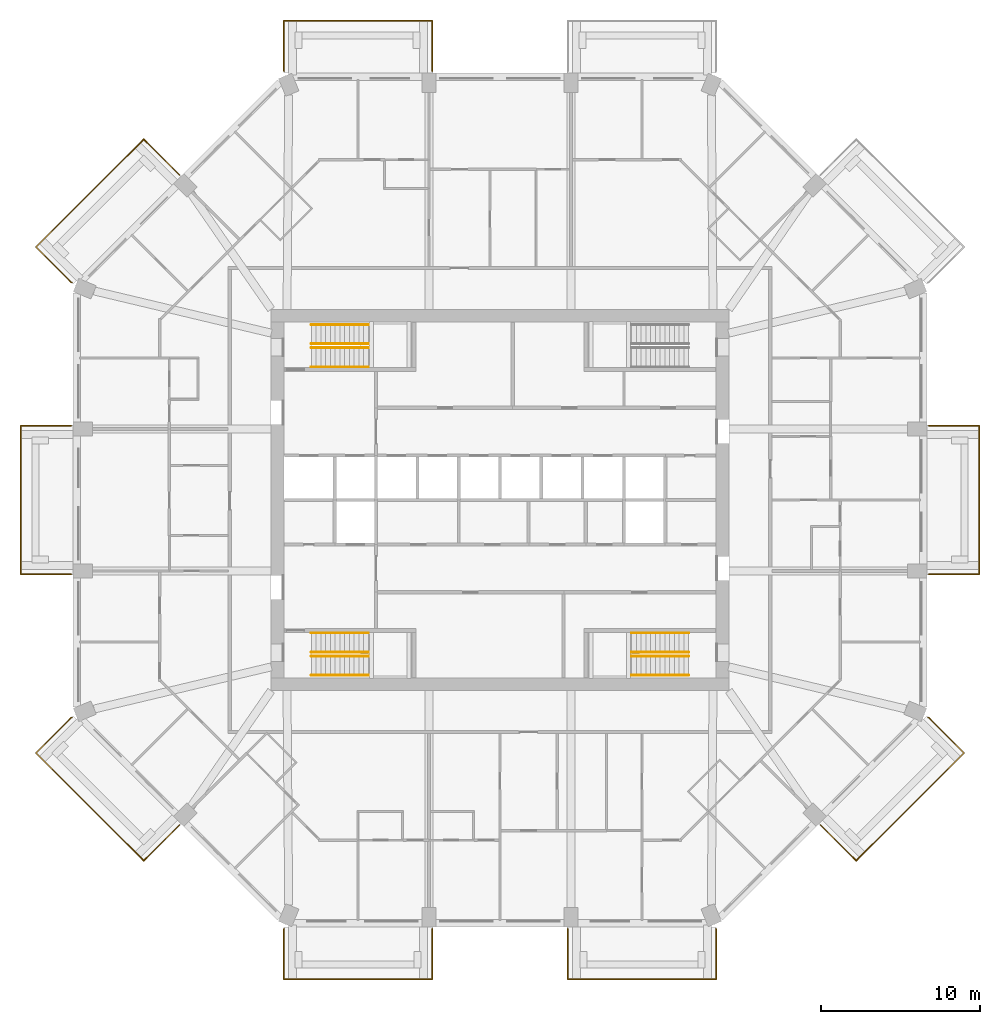
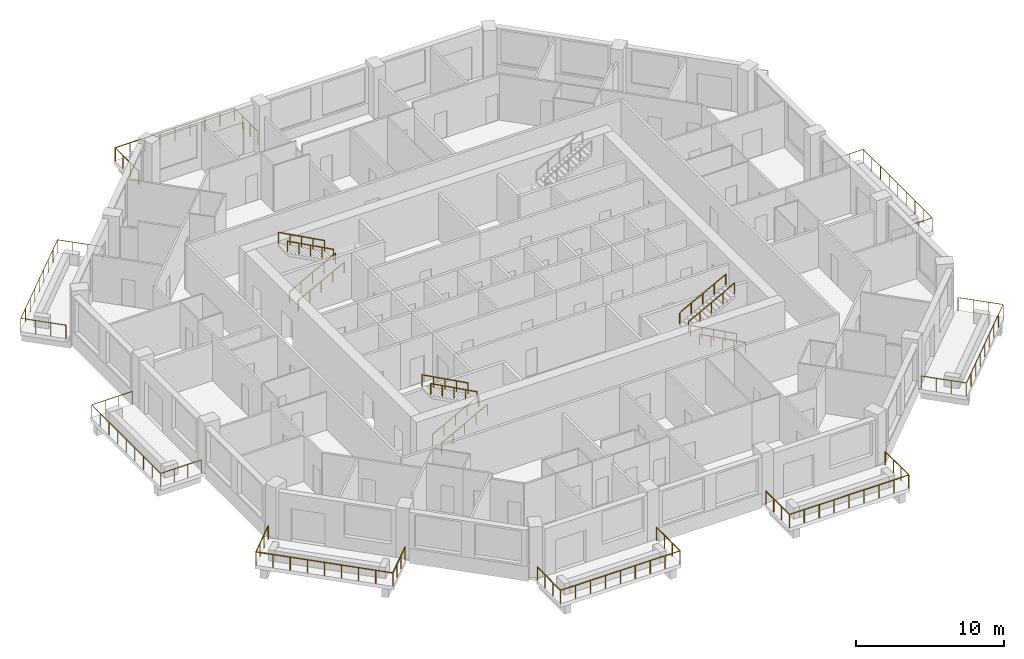
# One storey, part 12 of 13: 20 railings.
"""IFC4 building model written with IfcOpenShell, lengths in metres."""

from ifc_helpers import new_model, si_unit, direction, frame, origin, origin_2d, place, context, subcontext, project, spatial, circle, extrude, material, constituent, constituent_set, type_object, element, save


model = new_model("IFC4")

# Units and contexts
model_context = context("Model", 3, precision=1e-05, world=origin(), true_north=direction((0.0, 1.0)))
body_context = subcontext(model_context, "Body", "Model", "MODEL_VIEW")
ifc_project = project(units=[si_unit("LENGTHUNIT", "METRE"), si_unit("AREAUNIT", "SQUARE_METRE"), si_unit("VOLUMEUNIT", "CUBIC_METRE"), si_unit("PLANEANGLEUNIT", "RADIAN"), si_unit("MASSUNIT", "GRAM", prefix="KILO")], contexts=[model_context])

# Site, building, storey
site_placement = place(None, origin())
site = spatial("IfcSite", under=ifc_project, at=site_placement, CompositionType="ELEMENT")
building_placement = place(site_placement, origin())
building = spatial("IfcBuilding", under=site, at=building_placement, Name="Msitu Wima Residences", CompositionType="ELEMENT")
storey_placement = place(building_placement, frame((0.0, 0.0, 144.300048828125)))
storey = spatial("IfcBuildingStorey", under=building, at=storey_placement, Name="L33", CompositionType="ELEMENT", Elevation=144.300048828125)

# Railings
ifc_material_1 = material(Name="Steel S355", Category="steel")
ifc_constituent_1 = constituent(ifc_material_1, Name="Steel S355")
ifc_material_2 = material(Name="Weathering patina")
ifc_constituent_2 = constituent(ifc_material_2, Name="Weathering patina")
ifc_constituent_set_1 = constituent_set(constituents=[ifc_constituent_1, ifc_constituent_2], Name="Steel S355")
railing_type_1 = type_object("IfcRailingType", Name="Balcony guard GR1100", PredefinedType="GUARDRAIL", material=ifc_constituent_set_1)
railing_1_placement = place(storey_placement, frame((26.97998046875, 4.668701171875, 0.0)))
element("IfcRailing", 1, at=railing_1_placement, inside=storey, type_object=railing_type_1, Name="Balcony guard E1 L33", PredefinedType="GUARDRAIL", context=body_context, shape_type="SweptSolid", body=[
    extrude(circle(Radius=0.02392578125, at=origin_2d()), frame((0.0, 0.0, 1.076171875), z_axis=(1.0, 0.0, 0.0), x_axis=(0.0, 1.0, 0.0)), (0.0, 0.0, 1.0), 3.169921875),
    extrude(circle(Radius=0.02392578125, at=origin_2d()), frame((3.169921875, 0.0, 1.076171875), z_axis=(0.0, -1.0, 0.0), x_axis=(1.0, 0.0, 0.0)), (0.0, 0.0, 1.0), 9.33740234375),
    extrude(circle(Radius=0.02392578125, at=origin_2d()), frame((3.169921875, -9.33740234375, 1.076171875), z_axis=(-1.0, 0.0, 0.0), x_axis=(0.0, -1.0, 0.0)), (0.0, 0.0, 1.0), 3.169921875),
    extrude(circle(Radius=0.02099609375, at=origin_2d()), origin(), (0.0, 0.0, 1.0), 1.052001953125),
    extrude(circle(Radius=0.02099609375, at=origin_2d()), frame((1.056640625, 0.0, 0.0)), (0.0, 0.0, 1.0), 1.052001953125),
    extrude(circle(Radius=0.02099609375, at=origin_2d()), frame((2.11328125, 0.0, 0.0)), (0.0, 0.0, 1.0), 1.052001953125),
    extrude(circle(Radius=0.02099609375, at=origin_2d()), frame((3.169921875, 0.0, 0.0)), (0.0, 0.0, 1.0), 1.052001953125),
    extrude(circle(Radius=0.02099609375, at=origin_2d()), frame((3.169921875, -1.167236328125, 0.0)), (0.0, 0.0, 1.0), 1.052001953125),
    extrude(circle(Radius=0.02099609375, at=origin_2d()), frame((3.169921875, -2.33447265625, 0.0)), (0.0, 0.0, 1.0), 1.052001953125),
    extrude(circle(Radius=0.02099609375, at=origin_2d()), frame((3.169921875, -3.50146484375, 0.0)), (0.0, 0.0, 1.0), 1.052001953125),
    extrude(circle(Radius=0.02099609375, at=origin_2d()), frame((3.169921875, -4.668701171875, 0.0)), (0.0, 0.0, 1.0), 1.052001953125),
    extrude(circle(Radius=0.02099609375, at=origin_2d()), frame((3.169921875, -5.8359375, 0.0)), (0.0, 0.0, 1.0), 1.052001953125),
    extrude(circle(Radius=0.02099609375, at=origin_2d()), frame((3.169921875, -7.0029296875, 0.0)), (0.0, 0.0, 1.0), 1.052001953125),
    extrude(circle(Radius=0.02099609375, at=origin_2d()), frame((3.169921875, -8.170166015625, 0.0)), (0.0, 0.0, 1.0), 1.052001953125),
    extrude(circle(Radius=0.02099609375, at=origin_2d()), frame((3.169921875, -9.33740234375, 0.0)), (0.0, 0.0, 1.0), 1.052001953125),
    extrude(circle(Radius=0.02099609375, at=origin_2d()), frame((2.11328125, -9.33740234375, 0.0)), (0.0, 0.0, 1.0), 1.052001953125),
    extrude(circle(Radius=0.02099609375, at=origin_2d()), frame((1.056640625, -9.33740234375, 0.0)), (0.0, 0.0, 1.0), 1.052001953125),
    extrude(circle(Radius=0.02099609375, at=origin_2d()), frame((0.0, -9.33740234375, 0.0)), (0.0, 0.0, 1.0), 1.052001953125),
])
railing_2_placement = place(storey_placement, frame((-13.592041015625, 26.97998046875, 0.0)))
element("IfcRailing", 2, at=railing_2_placement, inside=storey, type_object=railing_type_1, Name="Balcony guard N2 L33", PredefinedType="GUARDRAIL", context=body_context, shape_type="SweptSolid", body=[
    extrude(circle(Radius=0.02392578125, at=origin_2d()), frame((0.0, 0.0, 1.076171875), z_axis=(-0.384136806859, 0.923276184907, 0.0), x_axis=(-0.923276184907, -0.384136806859, 0.0)), (0.0, 0.0, 1.0), 0.0361328125),
    extrude(circle(Radius=0.02392578125, at=origin_2d()), frame((-0.013916015625, 0.033447265625, 1.076171875), z_axis=(0.0, 1.0, 0.0), x_axis=(-1.0, 0.0, 0.0)), (0.0, 0.0, 1.0), 3.136474609375),
    extrude(circle(Radius=0.02392578125, at=origin_2d()), frame((-0.013916015625, 3.169921875, 1.076171875), z_axis=(1.0, 0.0, 0.0), x_axis=(0.0, 1.0, 0.0)), (0.0, 0.0, 1.0), 9.33740234375),
    extrude(circle(Radius=0.02392578125, at=origin_2d()), frame((9.323486328125, 3.169921875, 1.076171875), z_axis=(0.0, -1.0, 0.0), x_axis=(1.0, 0.0, 0.0)), (0.0, 0.0, 1.0), 3.169921875),
    extrude(circle(Radius=0.02099609375, at=origin_2d()), origin(), (0.0, 0.0, 1.0), 1.052001953125),
    extrude(circle(Radius=0.02099609375, at=origin_2d()), frame((-0.013916015625, 0.033447265625, 0.0)), (0.0, 0.0, 1.0), 1.052001953125),
    extrude(circle(Radius=0.02099609375, at=origin_2d()), frame((-0.013916015625, 1.078857421875, 0.0)), (0.0, 0.0, 1.0), 1.052001953125),
    extrude(circle(Radius=0.02099609375, at=origin_2d()), frame((-0.013916015625, 2.12451171875, 0.0)), (0.0, 0.0, 1.0), 1.052001953125),
    extrude(circle(Radius=0.02099609375, at=origin_2d()), frame((-0.013916015625, 3.169921875, 0.0)), (0.0, 0.0, 1.0), 1.052001953125),
    extrude(circle(Radius=0.02099609375, at=origin_2d()), frame((1.1533203125, 3.169921875, 0.0)), (0.0, 0.0, 1.0), 1.052001953125),
    extrude(circle(Radius=0.02099609375, at=origin_2d()), frame((2.3203125, 3.169921875, 0.0)), (0.0, 0.0, 1.0), 1.052001953125),
    extrude(circle(Radius=0.02099609375, at=origin_2d()), frame((3.487548828125, 3.169921875, 0.0)), (0.0, 0.0, 1.0), 1.052001953125),
    extrude(circle(Radius=0.02099609375, at=origin_2d()), frame((4.65478515625, 3.169921875, 0.0)), (0.0, 0.0, 1.0), 1.052001953125),
    extrude(circle(Radius=0.02099609375, at=origin_2d()), frame((5.822021484375, 3.169921875, 0.0)), (0.0, 0.0, 1.0), 1.052001953125),
    extrude(circle(Radius=0.02099609375, at=origin_2d()), frame((6.9892578125, 3.169921875, 0.0)), (0.0, 0.0, 1.0), 1.052001953125),
    extrude(circle(Radius=0.02099609375, at=origin_2d()), frame((8.15625, 3.169921875, 0.0)), (0.0, 0.0, 1.0), 1.052001953125),
    extrude(circle(Radius=0.02099609375, at=origin_2d()), frame((9.323486328125, 3.169921875, 0.0)), (0.0, 0.0, 1.0), 1.052001953125),
    extrude(circle(Radius=0.02099609375, at=origin_2d()), frame((9.323486328125, 2.11328125, 0.0)), (0.0, 0.0, 1.0), 1.052001953125),
    extrude(circle(Radius=0.02099609375, at=origin_2d()), frame((9.323486328125, 1.056640625, 0.0)), (0.0, 0.0, 1.0), 1.052001953125),
    extrude(circle(Radius=0.02099609375, at=origin_2d()), frame((9.323486328125, 0.0, 0.0)), (0.0, 0.0, 1.0), 1.052001953125),
])
railing_3_placement = place(storey_placement, frame((-26.941650390625, 13.684326171875, 0.0)))
element("IfcRailing", 3, at=railing_3_placement, inside=storey, type_object=railing_type_1, Name="Balcony guard NW1 L33", PredefinedType="GUARDRAIL", context=body_context, shape_type="SweptSolid", body=[
    extrude(circle(Radius=0.02392578125, at=origin_2d()), frame((0.0, 0.0, 1.076171875), z_axis=(-0.92426142649, 0.38176015442, 0.0), x_axis=(-0.38176015442, -0.92426142649, 0.0)), (0.0, 0.0, 1.0), 0.036376953125),
    extrude(circle(Radius=0.02392578125, at=origin_2d()), frame((-0.03369140625, 0.013916015625, 1.076171875), z_axis=(-0.707106781187, 0.707106781187, 0.0), x_axis=(-0.707106781187, -0.707106781187, 0.0)), (0.0, 0.0, 1.0), 3.136474609375),
    extrude(circle(Radius=0.02392578125, at=origin_2d()), frame((-2.25146484375, 2.231689453125, 1.076171875), z_axis=(0.707106781187, 0.707106781187, 0.0), x_axis=(-0.707106781187, 0.707106781187, 0.0)), (0.0, 0.0, 1.0), 9.58837890625),
    extrude(circle(Radius=0.02392578125, at=origin_2d()), frame((4.528564453125, 9.01171875, 1.076171875), z_axis=(0.707106781187, -0.707106781187, 0.0), x_axis=(0.707106781187, 0.707106781187, 0.0)), (0.0, 0.0, 1.0), 3.169921875),
    extrude(circle(Radius=0.02099609375, at=origin_2d()), origin(), (0.0, 0.0, 1.0), 1.052001953125),
    extrude(circle(Radius=0.02099609375, at=origin_2d()), frame((-0.03369140625, 0.013916015625, 0.0)), (0.0, 0.0, 1.0), 1.052001953125),
    extrude(circle(Radius=0.02099609375, at=origin_2d()), frame((-0.77294921875, 0.753173828125, 0.0)), (0.0, 0.0, 1.0), 1.052001953125),
    extrude(circle(Radius=0.02099609375, at=origin_2d()), frame((-1.51220703125, 1.492431640625, 0.0)), (0.0, 0.0, 1.0), 1.052001953125),
    extrude(circle(Radius=0.02099609375, at=origin_2d()), frame((-2.25146484375, 2.231689453125, 0.0)), (0.0, 0.0, 1.0), 1.052001953125),
    extrude(circle(Radius=0.02099609375, at=origin_2d()), frame((-1.404052734375, 3.0791015625, 0.0)), (0.0, 0.0, 1.0), 1.052001953125),
    extrude(circle(Radius=0.02099609375, at=origin_2d()), frame((-0.556396484375, 3.9267578125, 0.0)), (0.0, 0.0, 1.0), 1.052001953125),
    extrude(circle(Radius=0.02099609375, at=origin_2d()), frame((0.291015625, 4.774169921875, 0.0)), (0.0, 0.0, 1.0), 1.052001953125),
    extrude(circle(Radius=0.02099609375, at=origin_2d()), frame((1.138671875, 5.62158203125, 0.0)), (0.0, 0.0, 1.0), 1.052001953125),
    extrude(circle(Radius=0.02099609375, at=origin_2d()), frame((1.986083984375, 6.46923828125, 0.0)), (0.0, 0.0, 1.0), 1.052001953125),
    extrude(circle(Radius=0.02099609375, at=origin_2d()), frame((2.83349609375, 7.316650390625, 0.0)), (0.0, 0.0, 1.0), 1.052001953125),
    extrude(circle(Radius=0.02099609375, at=origin_2d()), frame((3.68115234375, 8.164306640625, 0.0)), (0.0, 0.0, 1.0), 1.052001953125),
    extrude(circle(Radius=0.02099609375, at=origin_2d()), frame((4.528564453125, 9.01171875, 0.0)), (0.0, 0.0, 1.0), 1.052001953125),
    extrude(circle(Radius=0.02099609375, at=origin_2d()), frame((5.275634765625, 8.2646484375, 0.0)), (0.0, 0.0, 1.0), 1.052001953125),
    extrude(circle(Radius=0.02099609375, at=origin_2d()), frame((6.02294921875, 7.517333984375, 0.0)), (0.0, 0.0, 1.0), 1.052001953125),
    extrude(circle(Radius=0.02099609375, at=origin_2d()), frame((6.77001953125, 6.770263671875, 0.0)), (0.0, 0.0, 1.0), 1.052001953125),
])
railing_4_placement = place(storey_placement, frame((-26.97998046875, -4.668701171875, 0.0)))
element("IfcRailing", 4, at=railing_4_placement, inside=storey, type_object=railing_type_1, Name="Balcony guard W1 L33", PredefinedType="GUARDRAIL", context=body_context, shape_type="SweptSolid", body=[
    extrude(circle(Radius=0.02392578125, at=origin_2d()), frame((0.0, 0.0, 1.076171875), z_axis=(-1.0, 0.0, 0.0), x_axis=(0.0, -1.0, 0.0)), (0.0, 0.0, 1.0), 3.169921875),
    extrude(circle(Radius=0.02392578125, at=origin_2d()), frame((-3.169921875, 0.0, 1.076171875), z_axis=(0.0, 1.0, 0.0), x_axis=(-1.0, 0.0, 0.0)), (0.0, 0.0, 1.0), 9.33740234375),
    extrude(circle(Radius=0.02392578125, at=origin_2d()), frame((-3.169921875, 9.33740234375, 1.076171875), z_axis=(1.0, 0.0, 0.0), x_axis=(0.0, 1.0, 0.0)), (0.0, 0.0, 1.0), 3.169921875),
    extrude(circle(Radius=0.02099609375, at=origin_2d()), origin(), (0.0, 0.0, 1.0), 1.052001953125),
    extrude(circle(Radius=0.02099609375, at=origin_2d()), frame((-1.056640625, 0.0, 0.0)), (0.0, 0.0, 1.0), 1.052001953125),
    extrude(circle(Radius=0.02099609375, at=origin_2d()), frame((-2.11328125, 0.0, 0.0)), (0.0, 0.0, 1.0), 1.052001953125),
    extrude(circle(Radius=0.02099609375, at=origin_2d()), frame((-3.169921875, 0.0, 0.0)), (0.0, 0.0, 1.0), 1.052001953125),
    extrude(circle(Radius=0.02099609375, at=origin_2d()), frame((-3.169921875, 1.167236328125, 0.0)), (0.0, 0.0, 1.0), 1.052001953125),
    extrude(circle(Radius=0.02099609375, at=origin_2d()), frame((-3.169921875, 2.33447265625, 0.0)), (0.0, 0.0, 1.0), 1.052001953125),
    extrude(circle(Radius=0.02099609375, at=origin_2d()), frame((-3.169921875, 3.50146484375, 0.0)), (0.0, 0.0, 1.0), 1.052001953125),
    extrude(circle(Radius=0.02099609375, at=origin_2d()), frame((-3.169921875, 4.668701171875, 0.0)), (0.0, 0.0, 1.0), 1.052001953125),
    extrude(circle(Radius=0.02099609375, at=origin_2d()), frame((-3.169921875, 5.8359375, 0.0)), (0.0, 0.0, 1.0), 1.052001953125),
    extrude(circle(Radius=0.02099609375, at=origin_2d()), frame((-3.169921875, 7.0029296875, 0.0)), (0.0, 0.0, 1.0), 1.052001953125),
    extrude(circle(Radius=0.02099609375, at=origin_2d()), frame((-3.169921875, 8.170166015625, 0.0)), (0.0, 0.0, 1.0), 1.052001953125),
    extrude(circle(Radius=0.02099609375, at=origin_2d()), frame((-3.169921875, 9.33740234375, 0.0)), (0.0, 0.0, 1.0), 1.052001953125),
    extrude(circle(Radius=0.02099609375, at=origin_2d()), frame((-2.11328125, 9.33740234375, 0.0)), (0.0, 0.0, 1.0), 1.052001953125),
    extrude(circle(Radius=0.02099609375, at=origin_2d()), frame((-1.056640625, 9.33740234375, 0.0)), (0.0, 0.0, 1.0), 1.052001953125),
    extrude(circle(Radius=0.02099609375, at=origin_2d()), frame((0.0, 9.33740234375, 0.0)), (0.0, 0.0, 1.0), 1.052001953125),
])
railing_5_placement = place(storey_placement, frame((-20.171630859375, -20.45458984375, 0.0)))
element("IfcRailing", 5, at=railing_5_placement, inside=storey, type_object=railing_type_1, Name="Balcony guard SW0 L33", PredefinedType="GUARDRAIL", context=body_context, shape_type="SweptSolid", body=[
    extrude(circle(Radius=0.02392578125, at=origin_2d()), frame((0.0, 0.0, 1.076171875), z_axis=(-0.707106781187, -0.707106781187, 0.0), x_axis=(0.707106781187, -0.707106781187, 0.0)), (0.0, 0.0, 1.0), 3.169921875),
    extrude(circle(Radius=0.02392578125, at=origin_2d()), frame((-2.241455078125, -2.241455078125, 1.076171875), z_axis=(-0.707106781187, 0.707106781187, 0.0), x_axis=(-0.707106781187, -0.707106781187, 0.0)), (0.0, 0.0, 1.0), 9.58837890625),
    extrude(circle(Radius=0.02392578125, at=origin_2d()), frame((-9.021484375, 4.53857421875, 1.076171875), z_axis=(0.707106781187, 0.707106781187, 0.0), x_axis=(-0.707106781187, 0.707106781187, 0.0)), (0.0, 0.0, 1.0), 3.136474609375),
    extrude(circle(Radius=0.02392578125, at=origin_2d()), frame((-6.8037109375, 6.75634765625, 1.076171875), z_axis=(0.92426142649, 0.38176015442, 0.0), x_axis=(-0.38176015442, 0.92426142649, 0.0)), (0.0, 0.0, 1.0), 0.036376953125),
    extrude(circle(Radius=0.02099609375, at=origin_2d()), origin(), (0.0, 0.0, 1.0), 1.052001953125),
    extrude(circle(Radius=0.02099609375, at=origin_2d()), frame((-0.7470703125, -0.7470703125, 0.0)), (0.0, 0.0, 1.0), 1.052001953125),
    extrude(circle(Radius=0.02099609375, at=origin_2d()), frame((-1.494384765625, -1.494384765625, 0.0)), (0.0, 0.0, 1.0), 1.052001953125),
    extrude(circle(Radius=0.02099609375, at=origin_2d()), frame((-2.241455078125, -2.241455078125, 0.0)), (0.0, 0.0, 1.0), 1.052001953125),
    extrude(circle(Radius=0.02099609375, at=origin_2d()), frame((-3.0888671875, -1.39404296875, 0.0)), (0.0, 0.0, 1.0), 1.052001953125),
    extrude(circle(Radius=0.02099609375, at=origin_2d()), frame((-3.9365234375, -0.54638671875, 0.0)), (0.0, 0.0, 1.0), 1.052001953125),
    extrude(circle(Radius=0.02099609375, at=origin_2d()), frame((-4.783935546875, 0.301025390625, 0.0)), (0.0, 0.0, 1.0), 1.052001953125),
    extrude(circle(Radius=0.02099609375, at=origin_2d()), frame((-5.63134765625, 1.1484375, 0.0)), (0.0, 0.0, 1.0), 1.052001953125),
    extrude(circle(Radius=0.02099609375, at=origin_2d()), frame((-6.47900390625, 1.99609375, 0.0)), (0.0, 0.0, 1.0), 1.052001953125),
    extrude(circle(Radius=0.02099609375, at=origin_2d()), frame((-7.326416015625, 2.843505859375, 0.0)), (0.0, 0.0, 1.0), 1.052001953125),
    extrude(circle(Radius=0.02099609375, at=origin_2d()), frame((-8.174072265625, 3.691162109375, 0.0)), (0.0, 0.0, 1.0), 1.052001953125),
    extrude(circle(Radius=0.02099609375, at=origin_2d()), frame((-9.021484375, 4.53857421875, 0.0)), (0.0, 0.0, 1.0), 1.052001953125),
    extrude(circle(Radius=0.02099609375, at=origin_2d()), frame((-8.2822265625, 5.27783203125, 0.0)), (0.0, 0.0, 1.0), 1.052001953125),
    extrude(circle(Radius=0.02099609375, at=origin_2d()), frame((-7.54296875, 6.01708984375, 0.0)), (0.0, 0.0, 1.0), 1.052001953125),
    extrude(circle(Radius=0.02099609375, at=origin_2d()), frame((-6.8037109375, 6.75634765625, 0.0)), (0.0, 0.0, 1.0), 1.052001953125),
    extrude(circle(Radius=0.02099609375, at=origin_2d()), frame((-6.77001953125, 6.770263671875, 0.0)), (0.0, 0.0, 1.0), 1.052001953125),
])
railing_6_placement = place(storey_placement, frame((-4.2685546875, -26.97998046875, 0.0)))
element("IfcRailing", 6, at=railing_6_placement, inside=storey, type_object=railing_type_1, Name="Balcony guard S0 L33", PredefinedType="GUARDRAIL", context=body_context, shape_type="SweptSolid", body=[
    extrude(circle(Radius=0.02392578125, at=origin_2d()), frame((0.0, 0.0, 1.076171875), z_axis=(0.0, -1.0, 0.0), x_axis=(1.0, 0.0, 0.0)), (0.0, 0.0, 1.0), 3.169921875),
    extrude(circle(Radius=0.02392578125, at=origin_2d()), frame((0.0, -3.169921875, 1.076171875), z_axis=(-1.0, 0.0, 0.0), x_axis=(0.0, -1.0, 0.0)), (0.0, 0.0, 1.0), 9.33740234375),
    extrude(circle(Radius=0.02392578125, at=origin_2d()), frame((-9.33740234375, -3.169921875, 1.076171875), z_axis=(0.0, 1.0, 0.0), x_axis=(-1.0, 0.0, 0.0)), (0.0, 0.0, 1.0), 3.136474609375),
    extrude(circle(Radius=0.02392578125, at=origin_2d()), frame((-9.33740234375, -0.033447265625, 1.076171875), z_axis=(0.384136806859, 0.923276184907, 0.0), x_axis=(-0.923276184907, 0.384136806859, 0.0)), (0.0, 0.0, 1.0), 0.0361328125),
    extrude(circle(Radius=0.02099609375, at=origin_2d()), origin(), (0.0, 0.0, 1.0), 1.052001953125),
    extrude(circle(Radius=0.02099609375, at=origin_2d()), frame((0.0, -1.056640625, 0.0)), (0.0, 0.0, 1.0), 1.052001953125),
    extrude(circle(Radius=0.02099609375, at=origin_2d()), frame((0.0, -2.11328125, 0.0)), (0.0, 0.0, 1.0), 1.052001953125),
    extrude(circle(Radius=0.02099609375, at=origin_2d()), frame((0.0, -3.169921875, 0.0)), (0.0, 0.0, 1.0), 1.052001953125),
    extrude(circle(Radius=0.02099609375, at=origin_2d()), frame((-1.167236328125, -3.169921875, 0.0)), (0.0, 0.0, 1.0), 1.052001953125),
    extrude(circle(Radius=0.02099609375, at=origin_2d()), frame((-2.33447265625, -3.169921875, 0.0)), (0.0, 0.0, 1.0), 1.052001953125),
    extrude(circle(Radius=0.02099609375, at=origin_2d()), frame((-3.50146484375, -3.169921875, 0.0)), (0.0, 0.0, 1.0), 1.052001953125),
    extrude(circle(Radius=0.02099609375, at=origin_2d()), frame((-4.668701171875, -3.169921875, 0.0)), (0.0, 0.0, 1.0), 1.052001953125),
    extrude(circle(Radius=0.02099609375, at=origin_2d()), frame((-5.8359375, -3.169921875, 0.0)), (0.0, 0.0, 1.0), 1.052001953125),
    extrude(circle(Radius=0.02099609375, at=origin_2d()), frame((-7.0029296875, -3.169921875, 0.0)), (0.0, 0.0, 1.0), 1.052001953125),
    extrude(circle(Radius=0.02099609375, at=origin_2d()), frame((-8.170166015625, -3.169921875, 0.0)), (0.0, 0.0, 1.0), 1.052001953125),
    extrude(circle(Radius=0.02099609375, at=origin_2d()), frame((-9.33740234375, -3.169921875, 0.0)), (0.0, 0.0, 1.0), 1.052001953125),
    extrude(circle(Radius=0.02099609375, at=origin_2d()), frame((-9.33740234375, -2.12451171875, 0.0)), (0.0, 0.0, 1.0), 1.052001953125),
    extrude(circle(Radius=0.02099609375, at=origin_2d()), frame((-9.33740234375, -1.078857421875, 0.0)), (0.0, 0.0, 1.0), 1.052001953125),
    extrude(circle(Radius=0.02099609375, at=origin_2d()), frame((-9.33740234375, -0.033447265625, 0.0)), (0.0, 0.0, 1.0), 1.052001953125),
    extrude(circle(Radius=0.02099609375, at=origin_2d()), frame((-9.323486328125, 0.0, 0.0)), (0.0, 0.0, 1.0), 1.052001953125),
])
railing_7_placement = place(storey_placement, frame((13.592041015625, -26.97998046875, 0.0)))
element("IfcRailing", 7, at=railing_7_placement, inside=storey, type_object=railing_type_1, Name="Balcony guard S2 L33", PredefinedType="GUARDRAIL", context=body_context, shape_type="SweptSolid", body=[
    extrude(circle(Radius=0.02392578125, at=origin_2d()), frame((0.0, 0.0, 1.076171875), z_axis=(0.384136806859, -0.923276184907, 0.0), x_axis=(0.923276184907, 0.384136806859, 0.0)), (0.0, 0.0, 1.0), 0.0361328125),
    extrude(circle(Radius=0.02392578125, at=origin_2d()), frame((0.013916015625, -0.033447265625, 1.076171875), z_axis=(0.0, -1.0, 0.0), x_axis=(1.0, 0.0, 0.0)), (0.0, 0.0, 1.0), 3.136474609375),
    extrude(circle(Radius=0.02392578125, at=origin_2d()), frame((0.013916015625, -3.169921875, 1.076171875), z_axis=(-1.0, 0.0, 0.0), x_axis=(0.0, -1.0, 0.0)), (0.0, 0.0, 1.0), 9.33740234375),
    extrude(circle(Radius=0.02392578125, at=origin_2d()), frame((-9.323486328125, -3.169921875, 1.076171875), z_axis=(0.0, 1.0, 0.0), x_axis=(-1.0, 0.0, 0.0)), (0.0, 0.0, 1.0), 3.169921875),
    extrude(circle(Radius=0.02099609375, at=origin_2d()), origin(), (0.0, 0.0, 1.0), 1.052001953125),
    extrude(circle(Radius=0.02099609375, at=origin_2d()), frame((0.013916015625, -0.033447265625, 0.0)), (0.0, 0.0, 1.0), 1.052001953125),
    extrude(circle(Radius=0.02099609375, at=origin_2d()), frame((0.013916015625, -1.078857421875, 0.0)), (0.0, 0.0, 1.0), 1.052001953125),
    extrude(circle(Radius=0.02099609375, at=origin_2d()), frame((0.013916015625, -2.12451171875, 0.0)), (0.0, 0.0, 1.0), 1.052001953125),
    extrude(circle(Radius=0.02099609375, at=origin_2d()), frame((0.013916015625, -3.169921875, 0.0)), (0.0, 0.0, 1.0), 1.052001953125),
    extrude(circle(Radius=0.02099609375, at=origin_2d()), frame((-1.1533203125, -3.169921875, 0.0)), (0.0, 0.0, 1.0), 1.052001953125),
    extrude(circle(Radius=0.02099609375, at=origin_2d()), frame((-2.3203125, -3.169921875, 0.0)), (0.0, 0.0, 1.0), 1.052001953125),
    extrude(circle(Radius=0.02099609375, at=origin_2d()), frame((-3.487548828125, -3.169921875, 0.0)), (0.0, 0.0, 1.0), 1.052001953125),
    extrude(circle(Radius=0.02099609375, at=origin_2d()), frame((-4.65478515625, -3.169921875, 0.0)), (0.0, 0.0, 1.0), 1.052001953125),
    extrude(circle(Radius=0.02099609375, at=origin_2d()), frame((-5.822021484375, -3.169921875, 0.0)), (0.0, 0.0, 1.0), 1.052001953125),
    extrude(circle(Radius=0.02099609375, at=origin_2d()), frame((-6.9892578125, -3.169921875, 0.0)), (0.0, 0.0, 1.0), 1.052001953125),
    extrude(circle(Radius=0.02099609375, at=origin_2d()), frame((-8.15625, -3.169921875, 0.0)), (0.0, 0.0, 1.0), 1.052001953125),
    extrude(circle(Radius=0.02099609375, at=origin_2d()), frame((-9.323486328125, -3.169921875, 0.0)), (0.0, 0.0, 1.0), 1.052001953125),
    extrude(circle(Radius=0.02099609375, at=origin_2d()), frame((-9.323486328125, -2.11328125, 0.0)), (0.0, 0.0, 1.0), 1.052001953125),
    extrude(circle(Radius=0.02099609375, at=origin_2d()), frame((-9.323486328125, -1.056640625, 0.0)), (0.0, 0.0, 1.0), 1.052001953125),
    extrude(circle(Radius=0.02099609375, at=origin_2d()), frame((-9.323486328125, 0.0, 0.0)), (0.0, 0.0, 1.0), 1.052001953125),
])
railing_8_placement = place(storey_placement, frame((26.941650390625, -13.684326171875, 0.0)))
element("IfcRailing", 8, at=railing_8_placement, inside=storey, type_object=railing_type_1, Name="Balcony guard SE1 L33", PredefinedType="GUARDRAIL", context=body_context, shape_type="SweptSolid", body=[
    extrude(circle(Radius=0.02392578125, at=origin_2d()), frame((0.0, 0.0, 1.076171875), z_axis=(0.92426142649, -0.38176015442, 0.0), x_axis=(0.38176015442, 0.92426142649, 0.0)), (0.0, 0.0, 1.0), 0.036376953125),
    extrude(circle(Radius=0.02392578125, at=origin_2d()), frame((0.03369140625, -0.013916015625, 1.076171875), z_axis=(0.707106781187, -0.707106781187, 0.0), x_axis=(0.707106781187, 0.707106781187, 0.0)), (0.0, 0.0, 1.0), 3.136474609375),
    extrude(circle(Radius=0.02392578125, at=origin_2d()), frame((2.25146484375, -2.231689453125, 1.076171875), z_axis=(-0.707106781187, -0.707106781187, 0.0), x_axis=(0.707106781187, -0.707106781187, 0.0)), (0.0, 0.0, 1.0), 9.58837890625),
    extrude(circle(Radius=0.02392578125, at=origin_2d()), frame((-4.528564453125, -9.01171875, 1.076171875), z_axis=(-0.707106781187, 0.707106781187, 0.0), x_axis=(-0.707106781187, -0.707106781187, 0.0)), (0.0, 0.0, 1.0), 3.169921875),
    extrude(circle(Radius=0.02099609375, at=origin_2d()), origin(), (0.0, 0.0, 1.0), 1.052001953125),
    extrude(circle(Radius=0.02099609375, at=origin_2d()), frame((0.03369140625, -0.013916015625, 0.0)), (0.0, 0.0, 1.0), 1.052001953125),
    extrude(circle(Radius=0.02099609375, at=origin_2d()), frame((0.77294921875, -0.753173828125, 0.0)), (0.0, 0.0, 1.0), 1.052001953125),
    extrude(circle(Radius=0.02099609375, at=origin_2d()), frame((1.51220703125, -1.492431640625, 0.0)), (0.0, 0.0, 1.0), 1.052001953125),
    extrude(circle(Radius=0.02099609375, at=origin_2d()), frame((2.25146484375, -2.231689453125, 0.0)), (0.0, 0.0, 1.0), 1.052001953125),
    extrude(circle(Radius=0.02099609375, at=origin_2d()), frame((1.404052734375, -3.0791015625, 0.0)), (0.0, 0.0, 1.0), 1.052001953125),
    extrude(circle(Radius=0.02099609375, at=origin_2d()), frame((0.556396484375, -3.9267578125, 0.0)), (0.0, 0.0, 1.0), 1.052001953125),
    extrude(circle(Radius=0.02099609375, at=origin_2d()), frame((-0.291015625, -4.774169921875, 0.0)), (0.0, 0.0, 1.0), 1.052001953125),
    extrude(circle(Radius=0.02099609375, at=origin_2d()), frame((-1.138671875, -5.62158203125, 0.0)), (0.0, 0.0, 1.0), 1.052001953125),
    extrude(circle(Radius=0.02099609375, at=origin_2d()), frame((-1.986083984375, -6.46923828125, 0.0)), (0.0, 0.0, 1.0), 1.052001953125),
    extrude(circle(Radius=0.02099609375, at=origin_2d()), frame((-2.83349609375, -7.316650390625, 0.0)), (0.0, 0.0, 1.0), 1.052001953125),
    extrude(circle(Radius=0.02099609375, at=origin_2d()), frame((-3.68115234375, -8.164306640625, 0.0)), (0.0, 0.0, 1.0), 1.052001953125),
    extrude(circle(Radius=0.02099609375, at=origin_2d()), frame((-4.528564453125, -9.01171875, 0.0)), (0.0, 0.0, 1.0), 1.052001953125),
    extrude(circle(Radius=0.02099609375, at=origin_2d()), frame((-5.275634765625, -8.2646484375, 0.0)), (0.0, 0.0, 1.0), 1.052001953125),
    extrude(circle(Radius=0.02099609375, at=origin_2d()), frame((-6.02294921875, -7.517333984375, 0.0)), (0.0, 0.0, 1.0), 1.052001953125),
    extrude(circle(Radius=0.02099609375, at=origin_2d()), frame((-6.77001953125, -6.770263671875, 0.0)), (0.0, 0.0, 1.0), 1.052001953125),
])
ifc_constituent_3 = constituent(ifc_material_1, Name="Steel S355")
ifc_material_3 = material(Name="Black powder coating")
ifc_constituent_4 = constituent(ifc_material_3, Name="Black powder coating")
ifc_constituent_set_2 = constituent_set(constituents=[ifc_constituent_3, ifc_constituent_4], Name="Steel S355")
railing_type_2 = type_object("IfcRailingType", Name="Stair handrail HR1", PredefinedType="HANDRAIL", material=ifc_constituent_set_2)
for number, where, name in (
    (9, (-11.875, 8.375, 0.161376953125), "Stair 1 handrail"),
    (10, (-11.875, 9.574951171875, 0.161376953125), "Stair 1 handrail"),
):
    element("IfcRailing", number, at=place(storey_placement, frame(where)), inside=storey, type_object=railing_type_2, Name=name, PredefinedType="HANDRAIL", context=body_context, shape_type="SweptSolid", body=[
        extrude(circle(Radius=0.02392578125, at=origin_2d()), frame((0.0, 0.0, 0.8759765625), z_axis=(0.880474934443, 0.0, 0.474092701714), x_axis=(0.0, 1.0, 0.0)), (0.0, 0.0, 1.0), 4.0888671875),
        extrude(circle(Radius=0.02099609375, at=origin_2d()), origin(), (0.0, 0.0, 1.0), 0.851806640625),
        extrude(circle(Radius=0.02099609375, at=origin_2d()), frame((0.89990234375, 0.0, 0.484619140625)), (0.0, 0.0, 1.0), 0.851806640625),
        extrude(circle(Radius=0.02099609375, at=origin_2d()), frame((1.800048828125, 0.0, 0.96923828125)), (0.0, 0.0, 1.0), 0.851806640625),
        extrude(circle(Radius=0.02099609375, at=origin_2d()), frame((2.7001953125, 0.0, 1.453857421875)), (0.0, 0.0, 1.0), 0.851806640625),
        extrude(circle(Radius=0.02099609375, at=origin_2d()), frame((3.60009765625, 0.0, 1.9384765625)), (0.0, 0.0, 1.0), 0.851806640625),
    ])
for number, where, name in (
    (11, (-8.27490234375, 9.824951171875, 2.261474609375), "Stair 1 handrail"),
    (12, (-8.27490234375, 11.02490234375, 2.261474609375), "Stair 1 handrail"),
):
    element("IfcRailing", number, at=place(storey_placement, frame(where)), inside=storey, type_object=railing_type_2, Name=name, PredefinedType="HANDRAIL", context=body_context, shape_type="SweptSolid", body=[
        extrude(circle(Radius=0.02392578125, at=origin_2d()), frame((0.0, 0.0, 0.8759765625), z_axis=(-0.880474934443, 0.0, 0.474092701714), x_axis=(0.0, -1.0, 0.0)), (0.0, 0.0, 1.0), 4.0888671875),
        extrude(circle(Radius=0.02099609375, at=origin_2d()), origin(), (0.0, 0.0, 1.0), 0.851806640625),
        extrude(circle(Radius=0.02099609375, at=origin_2d()), frame((-0.89990234375, 0.0, 0.484619140625)), (0.0, 0.0, 1.0), 0.851806640625),
        extrude(circle(Radius=0.02099609375, at=origin_2d()), frame((-1.800048828125, 0.0, 0.96923828125)), (0.0, 0.0, 1.0), 0.851806640625),
        extrude(circle(Radius=0.02099609375, at=origin_2d()), frame((-2.7001953125, 0.0, 1.453857421875)), (0.0, 0.0, 1.0), 0.851806640625),
        extrude(circle(Radius=0.02099609375, at=origin_2d()), frame((-3.60009765625, 0.0, 1.9384765625)), (0.0, 0.0, 1.0), 0.851806640625),
    ])
for number, where, name in (
    (13, (-11.875, -11.02490234375, 0.161376953125), "Stair 2 handrail"),
    (14, (-11.875, -9.824951171875, 0.161376953125), "Stair 2 handrail"),
):
    element("IfcRailing", number, at=place(storey_placement, frame(where)), inside=storey, type_object=railing_type_2, Name=name, PredefinedType="HANDRAIL", context=body_context, shape_type="SweptSolid", body=[
        extrude(circle(Radius=0.02392578125, at=origin_2d()), frame((0.0, 0.0, 0.8759765625), z_axis=(0.880474934443, 0.0, 0.474092701714), x_axis=(0.0, 1.0, 0.0)), (0.0, 0.0, 1.0), 4.0888671875),
        extrude(circle(Radius=0.02099609375, at=origin_2d()), origin(), (0.0, 0.0, 1.0), 0.851806640625),
        extrude(circle(Radius=0.02099609375, at=origin_2d()), frame((0.89990234375, 0.0, 0.484619140625)), (0.0, 0.0, 1.0), 0.851806640625),
        extrude(circle(Radius=0.02099609375, at=origin_2d()), frame((1.800048828125, 0.0, 0.96923828125)), (0.0, 0.0, 1.0), 0.851806640625),
        extrude(circle(Radius=0.02099609375, at=origin_2d()), frame((2.7001953125, 0.0, 1.453857421875)), (0.0, 0.0, 1.0), 0.851806640625),
        extrude(circle(Radius=0.02099609375, at=origin_2d()), frame((3.60009765625, 0.0, 1.9384765625)), (0.0, 0.0, 1.0), 0.851806640625),
    ])
for number, where, name in (
    (15, (-8.27490234375, -9.574951171875, 2.261474609375), "Stair 2 handrail"),
    (16, (-8.27490234375, -8.375, 2.261474609375), "Stair 2 handrail"),
    (17, (11.875, -11.02490234375, 0.161376953125), "Stair 4 handrail"),
    (18, (11.875, -9.824951171875, 0.161376953125), "Stair 4 handrail"),
):
    element("IfcRailing", number, at=place(storey_placement, frame(where)), inside=storey, type_object=railing_type_2, Name=name, PredefinedType="HANDRAIL", context=body_context, shape_type="SweptSolid", body=[
        extrude(circle(Radius=0.02392578125, at=origin_2d()), frame((0.0, 0.0, 0.8759765625), z_axis=(-0.880474934443, 0.0, 0.474092701714), x_axis=(0.0, -1.0, 0.0)), (0.0, 0.0, 1.0), 4.0888671875),
        extrude(circle(Radius=0.02099609375, at=origin_2d()), origin(), (0.0, 0.0, 1.0), 0.851806640625),
        extrude(circle(Radius=0.02099609375, at=origin_2d()), frame((-0.89990234375, 0.0, 0.484619140625)), (0.0, 0.0, 1.0), 0.851806640625),
        extrude(circle(Radius=0.02099609375, at=origin_2d()), frame((-1.800048828125, 0.0, 0.96923828125)), (0.0, 0.0, 1.0), 0.851806640625),
        extrude(circle(Radius=0.02099609375, at=origin_2d()), frame((-2.7001953125, 0.0, 1.453857421875)), (0.0, 0.0, 1.0), 0.851806640625),
        extrude(circle(Radius=0.02099609375, at=origin_2d()), frame((-3.60009765625, 0.0, 1.9384765625)), (0.0, 0.0, 1.0), 0.851806640625),
    ])
for number, where, name in (
    (19, (8.27490234375, -9.574951171875, 2.261474609375), "Stair 4 handrail"),
    (20, (8.27490234375, -8.375, 2.261474609375), "Stair 4 handrail"),
):
    element("IfcRailing", number, at=place(storey_placement, frame(where)), inside=storey, type_object=railing_type_2, Name=name, PredefinedType="HANDRAIL", context=body_context, shape_type="SweptSolid", body=[
        extrude(circle(Radius=0.02392578125, at=origin_2d()), frame((0.0, 0.0, 0.8759765625), z_axis=(0.880474934443, 0.0, 0.474092701714), x_axis=(0.0, 1.0, 0.0)), (0.0, 0.0, 1.0), 4.0888671875),
        extrude(circle(Radius=0.02099609375, at=origin_2d()), origin(), (0.0, 0.0, 1.0), 0.851806640625),
        extrude(circle(Radius=0.02099609375, at=origin_2d()), frame((0.89990234375, 0.0, 0.484619140625)), (0.0, 0.0, 1.0), 0.851806640625),
        extrude(circle(Radius=0.02099609375, at=origin_2d()), frame((1.800048828125, 0.0, 0.96923828125)), (0.0, 0.0, 1.0), 0.851806640625),
        extrude(circle(Radius=0.02099609375, at=origin_2d()), frame((2.7001953125, 0.0, 1.453857421875)), (0.0, 0.0, 1.0), 0.851806640625),
        extrude(circle(Radius=0.02099609375, at=origin_2d()), frame((3.60009765625, 0.0, 1.9384765625)), (0.0, 0.0, 1.0), 0.851806640625),
    ])

save(model, "model.ifc")
